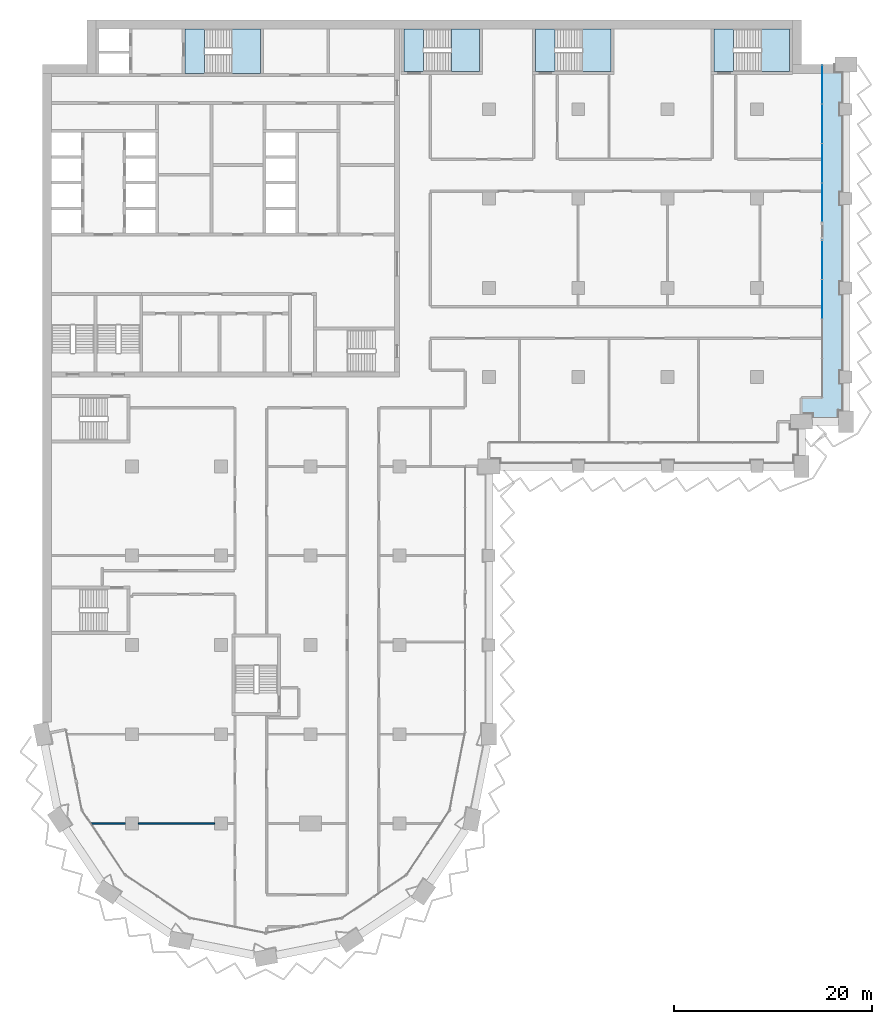
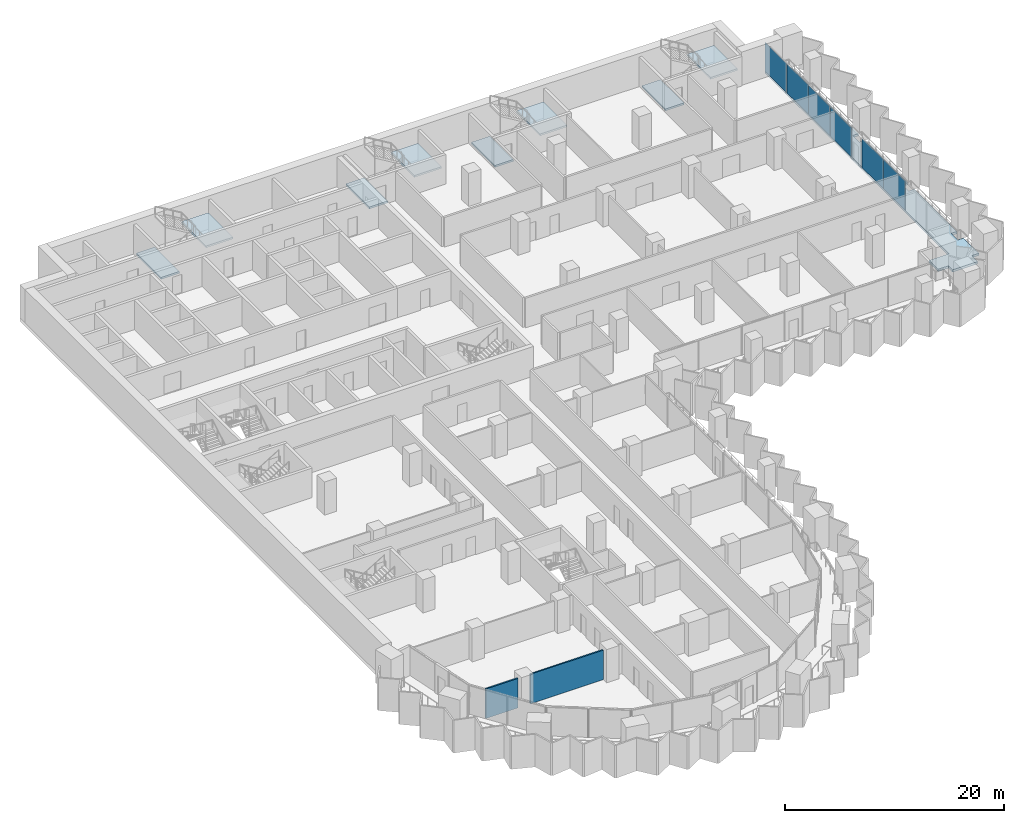
# One storey, part 8 of 22: 9 slabs, 6 plates, 2 walls, 6 elements without a shape of their own.
"""IFC4 building model written with IfcOpenShell, lengths in metres."""

import ifcopenshell
import ifcopenshell.guid

model = None  # the IFC model being written
_history = None  # IfcOwnerHistory: only IFC2X3 demands one
_inside = {}  # id of a spatial element -> (the spatial element, [elements in it])
_under = {}  # id of a project, library or spatial element -> (it, [spatial elements below it])
_declared = {}  # id of a project -> (the project, [libraries it declares])
_typed = {}  # id of a type object -> (the type object, [elements of that type])
_made_of = {}  # id of a material, layer set ... -> (it, [elements and type objects made of it])


def new_model(schema):
    """Start an empty IFC model of exactly this schema.

    Asked for "IFC4X3", IfcOpenShell would pick the latest addendum, in which some entities
    have other attributes; the version numbers below select the first issue.
    IFC2X3 requires an IfcOwnerHistory on every rooted entity: one is made here for all.
    """
    global model, _history
    if schema == "IFC4X3":
        model = ifcopenshell.file(schema_version=(4, 3, 0, 0))
    else:
        model = ifcopenshell.file(schema=schema)
    _inside.clear()
    _under.clear()
    _declared.clear()
    _typed.clear()
    _made_of.clear()
    _history = None
    if model.schema == "IFC2X3":
        org = make("IfcOrganization", Name="unknown")
        user = make(
            "IfcPersonAndOrganization",
            ThePerson=make("IfcPerson", FamilyName="unknown"),
            TheOrganization=org,
        )
        app = make(
            "IfcApplication",
            ApplicationDeveloper=org,
            Version="unknown",
            ApplicationFullName="unknown",
            ApplicationIdentifier="unknown",
        )
        _history = make(
            "IfcOwnerHistory",
            OwningUser=user,
            OwningApplication=app,
            ChangeAction="ADDED",
            CreationDate=0,
        )
    return model


def make(cls, **values):
    """One entity of the class cls with the attributes given. An attribute that is None is left unset."""
    return model.create_entity(
        cls, **{name: value for name, value in values.items() if value is not None}
    )


def rooted(cls, **values):
    """An entity with a GlobalId (a new one), such as an element, a storey or a relation."""
    return make(cls, GlobalId=ifcopenshell.guid.new(), OwnerHistory=_history, **values)


def si_unit(unit_type, name, prefix=None):
    """IfcSIUnit, for example si_unit("LENGTHUNIT", "METRE", prefix="MILLI")."""
    return make("IfcSIUnit", UnitType=unit_type, Prefix=prefix, Name=name)


def assignment(units):
    """IfcUnitAssignment: the units of a project."""
    return None if units is None else make("IfcUnitAssignment", Units=units)


def point(xyz):
    """IfcCartesianPoint."""
    return None if xyz is None else make("IfcCartesianPoint", Coordinates=xyz)


def direction(xyz):
    """IfcDirection."""
    return None if xyz is None else make("IfcDirection", DirectionRatios=xyz)


def frame(location, z_axis=None, x_axis=None):
    """IfcAxis2Placement3D, a coordinate frame: its origin and axes. An axis left out is left unset."""
    return make(
        "IfcAxis2Placement3D",
        Location=point(location),
        Axis=direction(z_axis),
        RefDirection=direction(x_axis),
    )


def frame_2d(location, x_axis=None):
    """IfcAxis2Placement2D, a coordinate frame in the plane: its origin and x axis."""
    return make(
        "IfcAxis2Placement2D", Location=point(location), RefDirection=direction(x_axis)
    )


def origin():
    """The frame at (0, 0, 0) with its axes left unset."""
    return frame((0.0, 0.0, 0.0))


def origin_2d():
    """The frame at (0, 0) in the plane with its x axis left unset."""
    return frame_2d((0.0, 0.0))


def place(relative_to, where):
    """IfcLocalPlacement: puts the frame where relative to a parent placement (None: the world)."""
    return make(
        "IfcLocalPlacement", PlacementRelTo=relative_to, RelativePlacement=where
    )


def context(
    kind, dimensions, precision=None, world=None, true_north=None, identifier=None
):
    """IfcGeometricRepresentationContext, for example the 3D "Model" context."""
    return make(
        "IfcGeometricRepresentationContext",
        ContextIdentifier=identifier,
        ContextType=kind,
        CoordinateSpaceDimension=dimensions,
        Precision=precision,
        WorldCoordinateSystem=world,
        TrueNorth=true_north,
    )


def subcontext(parent, identifier, kind, view, scale=None):
    """IfcGeometricRepresentationSubContext, for example "Body" below "Model"."""
    return make(
        "IfcGeometricRepresentationSubContext",
        ContextIdentifier=identifier,
        ContextType=kind,
        ParentContext=parent,
        TargetScale=scale,
        TargetView=view,
    )


def project(units=None, contexts=None):
    """IfcProject with its units and contexts."""
    return rooted(
        "IfcProject",
        Name="project",
        RepresentationContexts=contexts,
        UnitsInContext=assignment(units),
    )


def spatial(cls, under=None, at=None, **own):
    """A site, building, storey or space (cls), placed at a placement, below another one or the project."""
    s = rooted(cls, ObjectPlacement=at, **own)
    if under is not None:
        _under.setdefault(under.id(), (under, []))[1].append(s)
    return s


def polyline(points):
    """IfcPolyline through the points."""
    return make("IfcPolyline", Points=[point(p) for p in points])


def profile(cls, at=None, kind="AREA", **sizes):
    """A parametric profile (cls). Its sizes go by their IFC names, for example OverallWidth=200.0."""
    return make(cls, ProfileType=kind, Position=at, **sizes)


def rectangle(**sizes):
    """IfcRectangleProfileDef."""
    return profile("IfcRectangleProfileDef", **sizes)


def outline(outer, holes=None, kind="AREA"):
    """IfcArbitraryClosedProfileDef: a profile drawn as a closed curve; with holes, ...WithVoids."""
    if holes is None:
        return make("IfcArbitraryClosedProfileDef", ProfileType=kind, OuterCurve=outer)
    return make(
        "IfcArbitraryProfileDefWithVoids",
        ProfileType=kind,
        OuterCurve=outer,
        InnerCurves=holes,
    )


def extrude(swept, where, along, depth):
    """IfcExtrudedAreaSolid: the profile swept, set in the frame where, extruded along a direction by depth."""
    return make(
        "IfcExtrudedAreaSolid",
        SweptArea=swept,
        Position=where,
        ExtrudedDirection=direction(along),
        Depth=depth,
    )


def shape(context_of_items, identifier, shape_type, items):
    """IfcShapeRepresentation: the items that make up one representation, for example the "Body"."""
    return make(
        "IfcShapeRepresentation",
        ContextOfItems=context_of_items,
        RepresentationIdentifier=identifier,
        RepresentationType=shape_type,
        Items=items,
    )


def material(Name=None, Category=None):
    """IfcMaterial."""
    return make("IfcMaterial", Name=Name, Category=Category)


def layer(
    of_material, thickness, ventilated=None, Name=None, Category=None, Priority=None
):
    """IfcMaterialLayer: one layer of a wall or slab, of a material (None: an air gap)."""
    return make(
        "IfcMaterialLayer",
        Material=of_material,
        LayerThickness=thickness,
        IsVentilated=ventilated,
        Name=Name,
        Category=Category,
        Priority=Priority,
    )


def layer_set(layers, Name=None):
    """IfcMaterialLayerSet."""
    return make("IfcMaterialLayerSet", MaterialLayers=layers, LayerSetName=Name)


def made_of(thing, what):
    """Note that an element or type object is made of a material, layer set ...; save() writes the relation."""
    if what is not None:
        _made_of.setdefault(what.id(), (what, []))[1].append(thing)
    return thing


def type_object(cls, material=None, **own):
    """A type object (cls), such as IfcWallType, which elements share."""
    return made_of(rooted(cls, **own), material)


def element(
    cls,
    number,
    at=None,
    inside=None,
    cuts=None,
    type_object=None,
    material=None,
    context=None,
    identifier="Body",
    shape_type=None,
    held_by="IfcProductDefinitionShape",
    body=None,
    shapes=None,
    **own,
):
    """One element of the class cls, such as IfcWall. Its Tag is "e" and its number.

    at: its placement. inside: the storey or other place that contains it. cuts: it is an
    opening in that element (IfcRelVoidsElement). A single representation is given by context,
    identifier, shape_type and body (its items); several are given by shapes. held_by: the class
    of the entity that holds the representations. save() writes the other relations.
    """
    e = rooted(cls, Tag="e%d" % number, ObjectPlacement=at, **own)
    if body is not None:
        shapes = [shape(context, identifier, shape_type, body)]
    if shapes is not None:
        e.Representation = make(held_by, Representations=shapes)
    if inside is not None:
        _inside.setdefault(inside.id(), (inside, []))[1].append(e)
    if cuts is not None:
        rooted(
            "IfcRelVoidsElement", RelatingBuildingElement=cuts, RelatedOpeningElement=e
        )
    if type_object is not None:
        _typed.setdefault(type_object.id(), (type_object, []))[1].append(e)
    return made_of(e, material)


def aggregate(whole, parts):
    """IfcRelAggregates: a whole, such as a stair, and the parts it consists of."""
    return rooted("IfcRelAggregates", RelatingObject=whole, RelatedObjects=parts)


def save(model, path):
    """Write the relations noted so far, then the file.

    IfcRelAggregates (storeys below a building ...), IfcRelContainedInSpatialStructure (elements
    in a storey), IfcRelDefinesByType, IfcRelAssociatesMaterial and IfcRelDeclares: one each for
    every whole, place, type object, material and project.
    """
    for whole, parts in _under.values():
        aggregate(whole, parts)
    for where, things in _inside.values():
        rooted(
            "IfcRelContainedInSpatialStructure",
            RelatedElements=things,
            RelatingStructure=where,
        )
    for kind, things in _typed.values():
        rooted("IfcRelDefinesByType", RelatedObjects=things, RelatingType=kind)
    for what, things in _made_of.values():
        rooted("IfcRelAssociatesMaterial", RelatedObjects=things, RelatingMaterial=what)
    for by, libraries in _declared.values():
        rooted("IfcRelDeclares", RelatingContext=by, RelatedDefinitions=libraries)
    model.write(path)


model = new_model("IFC4")

# Units and contexts
model_context = context("Model", 3, precision=1e-05, world=origin(), true_north=direction((0.0, 1.0)))
body_context = subcontext(model_context, "Body", "Model", "MODEL_VIEW")
ifc_project = project(units=[si_unit("LENGTHUNIT", "METRE"), si_unit("AREAUNIT", "SQUARE_METRE"), si_unit("VOLUMEUNIT", "CUBIC_METRE"), si_unit("PLANEANGLEUNIT", "RADIAN"), si_unit("MASSUNIT", "GRAM", prefix="KILO")], contexts=[model_context])

# Site, building, storey
site_placement = place(None, origin())
site = spatial("IfcSite", under=ifc_project, at=site_placement, CompositionType="ELEMENT")
building_placement = place(site_placement, origin())
building = spatial("IfcBuilding", under=site, at=building_placement, Name="Hunhe Ridgeline Campus", CompositionType="ELEMENT")
storey_placement = place(building_placement, frame((0.0, 0.0, 88.5)))
storey = spatial("IfcBuildingStorey", under=building, at=storey_placement, Name="L21", CompositionType="ELEMENT", Elevation=88.5)

# Curtain wall, plates
ifc_material_1 = material(Name="Aluminium 6063", Category="aluminium")
curtain_wall_type = type_object("IfcCurtainWallType", Name="Curtain wall CW-1", PredefinedType="NOTDEFINED", material=ifc_material_1)
curtain_wall_1_placement = place(storey_placement, origin())
curtain_wall_1 = element("IfcCurtainWall", 1, at=curtain_wall_1_placement, inside=storey, type_object=curtain_wall_type, Name="Curtain wall 15", PredefinedType="NOTDEFINED")
ifc_material_2 = material(Name="Low-e laminated glass", Category="glass")
ifc_layer_1 = layer(ifc_material_2, 0.028076171875)
ifc_layer_set_1 = layer_set([ifc_layer_1], Name="Curtain wall glass panel 28 low-e laminated")
plate_type = type_object("IfcPlateType", Name="Curtain wall glass panel 28 low-e laminated", PredefinedType="CURTAIN_PANEL", material=ifc_layer_set_1)
plate_1_placement = place(storey_placement, frame((78.59912109375, 70.838134765625, 0.0), z_axis=(0.0, 0.0, 1.0), x_axis=(0.0, 1.0, 0.0)))
plate_1 = element("IfcPlate", 2, at=plate_1_placement, type_object=plate_type, Name="CW-1 panel 3", PredefinedType="CURTAIN_PANEL", context=body_context, shape_type="SweptSolid", body=[
    extrude(rectangle(XDim=3.914794921875, YDim=0.028076171875, at=origin_2d()), origin(), (0.0, 0.0, 1.0), 3.239990234375),
])
plate_2_placement = place(storey_placement, frame((78.59912109375, 74.798095703125, 0.0), z_axis=(0.0, 0.0, 1.0), x_axis=(0.0, 1.0, 0.0)))
plate_2 = element("IfcPlate", 3, at=plate_2_placement, type_object=plate_type, Name="CW-1 panel 4", PredefinedType="CURTAIN_PANEL", context=body_context, shape_type="SweptSolid", body=[
    extrude(rectangle(XDim=3.884765625, YDim=0.028076171875, at=origin_2d()), origin(), (0.0, 0.0, 1.0), 3.239990234375),
])
aggregate(curtain_wall_1, [plate_1, plate_2])

curtain_wall_2_placement = place(storey_placement, origin())
curtain_wall_2 = element("IfcCurtainWall", 4, at=curtain_wall_2_placement, inside=storey, type_object=curtain_wall_type, Name="Curtain wall 16", PredefinedType="NOTDEFINED")
plate_3_placement = place(storey_placement, frame((78.59912109375, 80.60302734375, 0.0), z_axis=(0.0, 0.0, 1.0), x_axis=(0.0, 1.0, 0.0)))
plate_3 = element("IfcPlate", 5, at=plate_3_placement, type_object=plate_type, Name="CW-1 panel 1", PredefinedType="CURTAIN_PANEL", context=body_context, shape_type="SweptSolid", body=[
    extrude(rectangle(XDim=3.884765625, YDim=0.028076171875, at=origin_2d()), origin(), (0.0, 0.0, 1.0), 3.239990234375),
])
plate_4_placement = place(storey_placement, frame((78.59912109375, 84.562744140625, 0.0), z_axis=(0.0, 0.0, 1.0), x_axis=(0.0, 1.0, 0.0)))
plate_4 = element("IfcPlate", 6, at=plate_4_placement, type_object=plate_type, Name="CW-1 panel 2", PredefinedType="CURTAIN_PANEL", context=body_context, shape_type="SweptSolid", body=[
    extrude(rectangle(XDim=3.914794921875, YDim=0.028076171875, at=origin_2d()), origin(), (0.0, 0.0, 1.0), 3.239990234375),
])
plate_5_placement = place(storey_placement, frame((78.59912109375, 88.53759765625, 0.0), z_axis=(0.0, 0.0, 1.0), x_axis=(0.0, 1.0, 0.0)))
plate_5 = element("IfcPlate", 7, at=plate_5_placement, type_object=plate_type, Name="CW-1 panel 3", PredefinedType="CURTAIN_PANEL", context=body_context, shape_type="SweptSolid", body=[
    extrude(rectangle(XDim=3.914794921875, YDim=0.028076171875, at=origin_2d()), origin(), (0.0, 0.0, 1.0), 3.239990234375),
])
plate_6_placement = place(storey_placement, frame((78.59912109375, 92.49755859375, 0.0), z_axis=(0.0, 0.0, 1.0), x_axis=(0.0, 1.0, 0.0)))
plate_6 = element("IfcPlate", 8, at=plate_6_placement, type_object=plate_type, Name="CW-1 panel 4", PredefinedType="CURTAIN_PANEL", context=body_context, shape_type="SweptSolid", body=[
    extrude(rectangle(XDim=3.884765625, YDim=0.028076171875, at=origin_2d()), origin(), (0.0, 0.0, 1.0), 3.239990234375),
])
aggregate(curtain_wall_2, [plate_3, plate_4, plate_5, plate_6])

# Slab
ifc_material_3 = material(Name="Concrete C40", Category="concrete")
ifc_layer_2 = layer(ifc_material_3, 0.25)
ifc_layer_set_2 = layer_set([ifc_layer_2], Name="Loggia slab 250 Concrete C40")
slab_type_1 = type_object("IfcSlabType", Name="Loggia slab 250 Concrete C40", PredefinedType="FLOOR", material=ifc_layer_set_2)
slab_1_placement = place(storey_placement, frame((0.0, 0.0, -0.25)))
element("IfcSlab", 9, at=slab_1_placement, inside=storey, type_object=slab_type_1, Name="Loggia slab 3", PredefinedType="FLOOR", context=body_context, shape_type="SweptSolid", body=[
    extrude(outline(polyline([(76.5, 59.25), (77.60009765625, 59.25), (77.60009765625, 58.5), (80.25, 58.5), (80.25, 59.60009765625), (81.0, 59.60009765625), (81.0, 62.39990234375), (80.39990234375, 62.39990234375), (80.39990234375, 63.60009765625), (81.0, 63.60009765625), (81.0, 71.39990234375), (80.39990234375, 71.39990234375), (80.39990234375, 72.60009765625), (81.0, 72.60009765625), (81.0, 80.39990234375), (80.39990234375, 80.39990234375), (80.39990234375, 81.60009765625), (81.0, 81.60009765625), (81.0, 89.39990234375), (80.39990234375, 89.39990234375), (80.39990234375, 90.60009765625), (81.0, 90.60009765625), (81.0, 93.75), (79.89990234375, 93.75), (79.89990234375, 94.5), (78.60009765625, 94.5), (78.60009765625, 60.89990234375), (76.5, 60.89990234375), (76.5, 59.25)])), origin(), (0.0, 0.0, 1.0), 0.25),
])

# Stair, slab
stair_type = type_object("IfcStairType", Name="Reinforced concrete dog-leg stair 1950 Concrete C40", PredefinedType="HALF_TURN_STAIR", material=ifc_material_3)
stair_1_placement = place(storey_placement, origin())
stair_1 = element("IfcStair", 10, at=stair_1_placement, inside=storey, type_object=stair_type, Name="L21 S1", PredefinedType="HALF_TURN_STAIR")
ifc_layer_3 = layer(ifc_material_3, 0.199951171875)
ifc_layer_set_3 = layer_set([ifc_layer_3], Name="Reinforced concrete stair landing 200 Concrete C40")
slab_type_2 = type_object("IfcSlabType", Name="Reinforced concrete stair landing 200 Concrete C40", PredefinedType="LANDING", material=ifc_layer_set_3)
slab_2_placement = place(storey_placement, frame((0.0, 0.0, 1.64990234375)))
slab_2 = element("IfcSlab", 11, at=slab_2_placement, type_object=slab_type_2, Name="ST1 landing 1", PredefinedType="LANDING", context=body_context, shape_type="SweptSolid", body=[
    extrude(outline(polyline([(19.10009765625, 93.60009765625), (21.949951171875, 93.60009765625), (21.949951171875, 98.10009765625), (19.10009765625, 98.10009765625), (19.10009765625, 93.60009765625)])), origin(), (0.0, 0.0, 1.0), 0.2001953125),
])
aggregate(stair_1, [slab_2])

# Slab
slab_3_placement = place(storey_placement, frame((0.0, 0.0, -0.199951171875)))
element("IfcSlab", 12, at=slab_3_placement, inside=storey, type_object=slab_type_2, Name="L21 stair S1 floor landing", PredefinedType="LANDING", context=body_context, shape_type="SweptSolid", body=[
    extrude(outline(polyline([(14.35009765625, 93.60009765625), (16.300048828125, 93.60009765625), (16.300048828125, 98.10009765625), (14.35009765625, 98.10009765625), (14.35009765625, 93.60009765625)])), origin(), (0.0, 0.0, 1.0), 0.199951171875),
])

# Stair, slab
stair_2_placement = place(storey_placement, origin())
stair_2 = element("IfcStair", 13, at=stair_2_placement, inside=storey, type_object=stair_type, Name="L21 E1", PredefinedType="HALF_TURN_STAIR")
slab_4_placement = place(storey_placement, frame((0.0, 0.0, 1.64990234375)))
slab_4 = element("IfcSlab", 14, at=slab_4_placement, type_object=slab_type_2, Name="ST5 landing 1", PredefinedType="LANDING", context=body_context, shape_type="SweptSolid", body=[
    extrude(outline(polyline([(41.199951171875, 93.800048828125), (44.050048828125, 93.800048828125), (44.050048828125, 98.10009765625), (41.199951171875, 98.10009765625), (41.199951171875, 93.800048828125)])), origin(), (0.0, 0.0, 1.0), 0.2001953125),
])
aggregate(stair_2, [slab_4])

# Slab
slab_5_placement = place(storey_placement, frame((0.0, 0.0, -0.199951171875)))
element("IfcSlab", 15, at=slab_5_placement, inside=storey, type_object=slab_type_2, Name="L21 stair E1 floor landing", PredefinedType="LANDING", context=body_context, shape_type="SweptSolid", body=[
    extrude(outline(polyline([(36.449951171875, 93.800048828125), (38.39990234375, 93.800048828125), (38.39990234375, 98.10009765625), (36.449951171875, 98.10009765625), (36.449951171875, 93.800048828125)])), origin(), (0.0, 0.0, 1.0), 0.199951171875),
])

# Stair, slab
stair_3_placement = place(storey_placement, origin())
stair_3 = element("IfcStair", 16, at=stair_3_placement, inside=storey, type_object=stair_type, Name="L21 E2", PredefinedType="HALF_TURN_STAIR")
slab_6_placement = place(storey_placement, frame((0.0, 0.0, 1.64990234375)))
slab_6 = element("IfcSlab", 17, at=slab_6_placement, type_object=slab_type_2, Name="ST6 landing 1", PredefinedType="LANDING", context=body_context, shape_type="SweptSolid", body=[
    extrude(outline(polyline([(54.449951171875, 93.800048828125), (57.300048828125, 93.800048828125), (57.300048828125, 98.10009765625), (54.449951171875, 98.10009765625), (54.449951171875, 93.800048828125)])), origin(), (0.0, 0.0, 1.0), 0.2001953125),
])
aggregate(stair_3, [slab_6])

# Slab
slab_7_placement = place(storey_placement, frame((0.0, 0.0, -0.199951171875)))
element("IfcSlab", 18, at=slab_7_placement, inside=storey, type_object=slab_type_2, Name="L21 stair E2 floor landing", PredefinedType="LANDING", context=body_context, shape_type="SweptSolid", body=[
    extrude(outline(polyline([(49.699951171875, 93.800048828125), (51.64990234375, 93.800048828125), (51.64990234375, 98.10009765625), (49.699951171875, 98.10009765625), (49.699951171875, 93.800048828125)])), origin(), (0.0, 0.0, 1.0), 0.199951171875),
])

# Stair, slab
stair_4_placement = place(storey_placement, origin())
stair_4 = element("IfcStair", 19, at=stair_4_placement, inside=storey, type_object=stair_type, Name="L21 E3", PredefinedType="HALF_TURN_STAIR")
slab_8_placement = place(storey_placement, frame((0.0, 0.0, 1.64990234375)))
slab_8 = element("IfcSlab", 20, at=slab_8_placement, type_object=slab_type_2, Name="ST7 landing 1", PredefinedType="LANDING", context=body_context, shape_type="SweptSolid", body=[
    extrude(outline(polyline([(72.449951171875, 93.800048828125), (75.300048828125, 93.800048828125), (75.300048828125, 98.10009765625), (72.449951171875, 98.10009765625), (72.449951171875, 93.800048828125)])), origin(), (0.0, 0.0, 1.0), 0.2001953125),
])
aggregate(stair_4, [slab_8])

# Slab
slab_9_placement = place(storey_placement, frame((0.0, 0.0, -0.199951171875)))
element("IfcSlab", 21, at=slab_9_placement, inside=storey, type_object=slab_type_2, Name="L21 stair E3 floor landing", PredefinedType="LANDING", context=body_context, shape_type="SweptSolid", body=[
    extrude(outline(polyline([(67.699951171875, 93.800048828125), (69.64990234375, 93.800048828125), (69.64990234375, 98.10009765625), (67.699951171875, 98.10009765625), (67.699951171875, 93.800048828125)])), origin(), (0.0, 0.0, 1.0), 0.199951171875),
])

# Walls
ifc_material_4 = material(Name="Gypsum board partition")
ifc_layer_4 = layer(ifc_material_4, 0.14990234375)
ifc_layer_set_4 = layer_set([ifc_layer_4], Name="Room partition 150 gypsum board on steel studs")
wall_type = type_object("IfcWallType", Name="Room partition 150 gypsum board on steel studs", PredefinedType="PARTITIONING", material=ifc_layer_set_4)
wall_1_placement = place(storey_placement, frame((4.925537109375, 18.0, 0.0), z_axis=(0.0, 0.0, 1.0), x_axis=(1.0, 0.0, 0.0)))
element("IfcWall", 22, at=wall_1_placement, inside=storey, type_object=wall_type, Name="F-L21-wall-003", PredefinedType="PARTITIONING", context=body_context, shape_type="SweptSolid", body=[
    extrude(rectangle(XDim=3.424560546875, YDim=0.14990234375, at=frame_2d((1.71240234375, 0.0))), origin(), (0.0, 0.0, 1.0), 3.300048828125),
])
wall_2_placement = place(storey_placement, frame((9.64990234375, 18.0, 0.0), z_axis=(0.0, 0.0, 1.0), x_axis=(1.0, 0.0, 0.0)))
element("IfcWall", 23, at=wall_2_placement, inside=storey, type_object=wall_type, Name="F-L21-wall-004", PredefinedType="PARTITIONING", context=body_context, shape_type="SweptSolid", body=[
    extrude(rectangle(XDim=7.7001953125, YDim=0.14990234375, at=frame_2d((3.85009765625, 0.0))), origin(), (0.0, 0.0, 1.0), 3.300048828125),
])

save(model, "model.ifc")
